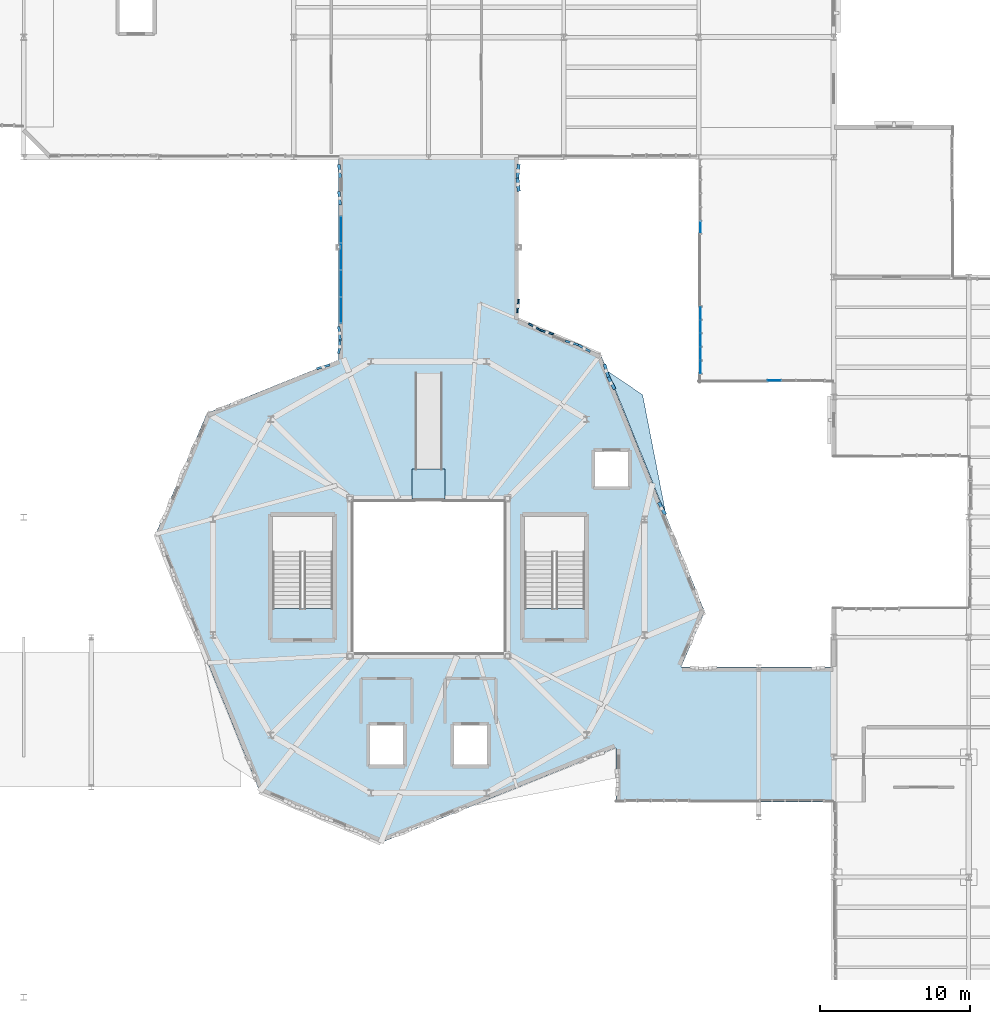
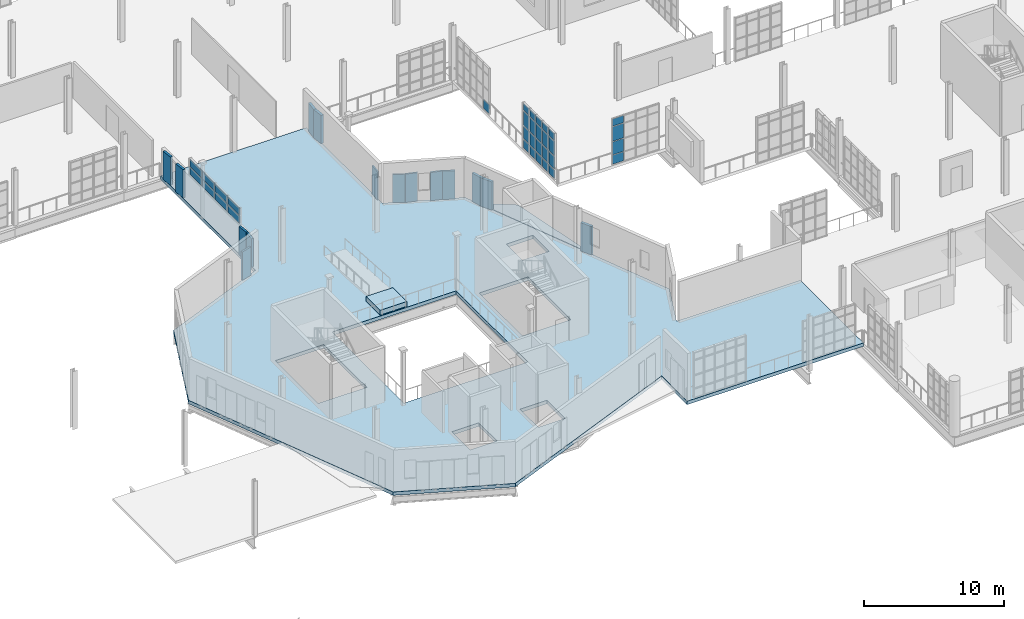
# One storey, part 84 of 122: 48 plates, 3 slabs, 4 elements without a shape of their own.
"""IFC4 building model written with IfcOpenShell, lengths in metres."""

from ifc_helpers import new_model, si_unit, direction, frame, frame_2d, origin, origin_2d, place, context, subcontext, project, spatial, polyline, rectangle, outline, extrude, material, layer, layer_set, type_object, element, aggregate, save


model = new_model("IFC4")

# Units and contexts
model_context = context("Model", 3, precision=1e-05, world=origin(), true_north=direction((0.0, 1.0)))
body_context = subcontext(model_context, "Body", "Model", "MODEL_VIEW")
ifc_project = project(units=[si_unit("LENGTHUNIT", "METRE"), si_unit("AREAUNIT", "SQUARE_METRE"), si_unit("VOLUMEUNIT", "CUBIC_METRE"), si_unit("PLANEANGLEUNIT", "RADIAN"), si_unit("MASSUNIT", "GRAM", prefix="KILO"), si_unit("THERMODYNAMICTEMPERATUREUNIT", "KELVIN"), si_unit("POWERUNIT", "WATT")], contexts=[model_context])

# Site, building, storey
site_placement = place(None, origin())
site = spatial("IfcSite", under=ifc_project, at=site_placement, CompositionType="ELEMENT")
building_placement = place(site_placement, origin())
building = spatial("IfcBuilding", under=site, at=building_placement, Name="Zelmaris Science Centre", CompositionType="ELEMENT")
storey_placement = place(building_placement, frame((0.0, 0.0, 10.800048828125)))
storey = spatial("IfcBuildingStorey", under=building, at=storey_placement, Name="L02", CompositionType="ELEMENT", Elevation=10.800048828125)

# Curtain wall, plates
ifc_material_1 = material(Name="Anodised architectural aluminium 6063-T6", Category="aluminium")
ifc_layer_1 = layer(ifc_material_1, 0.18994140625, Name="Anodised architectural aluminium 6063-T6")
ifc_layer_set_1 = layer_set([ifc_layer_1], Name="Anodised architectural aluminium 6063-T6")
curtain_wall_type_1 = type_object("IfcCurtainWallType", Name="Curtain Wall CW-01", PredefinedType="USERDEFINED", material=ifc_layer_set_1)
curtain_wall_1_placement = place(storey_placement, origin())
curtain_wall_1 = element("IfcCurtainWall", 1, at=curtain_wall_1_placement, inside=storey, type_object=curtain_wall_type_1, Name="L02 Clerestory curtain wall 253", ObjectType="GLAZED CURTAIN WALL", PredefinedType="USERDEFINED")
ifc_material_2 = material(Name="Laminated hurricane-rated low-E insulated glazing", Category="glass")
ifc_layer_2 = layer(ifc_material_2, 0.031982421875, Name="Laminated hurricane-rated low-E insulated glazing")
ifc_layer_set_2 = layer_set([ifc_layer_2], Name="Laminated hurricane-rated low-E insulated glazing")
plate_type_1 = type_object("IfcPlateType", Name="Curtain Glazing Panel CWP-1 32mm", PredefinedType="CURTAIN_PANEL", material=ifc_layer_set_2)
plate_1_placement = place(storey_placement, frame((75.154541015625, 53.81689453125, 2.49169921875), z_axis=(0.0, 0.0, 1.0), x_axis=(0.000534776397, 0.999999857007, 0.0)))
plate_1 = element("IfcPlate", 2, at=plate_1_placement, type_object=plate_type_1, Name="CW-01 panel 1.1", PredefinedType="CURTAIN_PANEL", context=body_context, shape_type="SweptSolid", body=[
    extrude(rectangle(XDim=1.69189453125, YDim=0.031982421875, at=origin_2d()), origin(), (0.0, 0.0, 1.0), 0.630615234375),
])
plate_2_placement = place(storey_placement, frame((75.154541015625, 53.81689453125, 3.1943359375), z_axis=(0.0, 0.0, 1.0), x_axis=(0.000534776397, 0.999999857007, 0.0)))
plate_2 = element("IfcPlate", 3, at=plate_2_placement, type_object=plate_type_1, Name="CW-01 panel 1.2", PredefinedType="CURTAIN_PANEL", context=body_context, shape_type="SweptSolid", body=[
    extrude(rectangle(XDim=1.69189453125, YDim=0.031982421875, at=origin_2d()), origin(), (0.0, 0.0, 1.0), 0.630615234375),
])
plate_3_placement = place(storey_placement, frame((75.155517578125, 55.598876953125, 2.49169921875), z_axis=(0.0, 0.0, 1.0), x_axis=(0.000534776397, 0.999999857007, 0.0)))
plate_3 = element("IfcPlate", 4, at=plate_3_placement, type_object=plate_type_1, Name="CW-01 panel 2.1", PredefinedType="CURTAIN_PANEL", context=body_context, shape_type="SweptSolid", body=[
    extrude(rectangle(XDim=1.72802734375, YDim=0.031982421875, at=origin_2d()), origin(), (0.0, 0.0, 1.0), 0.630615234375),
])
plate_4_placement = place(storey_placement, frame((75.155517578125, 55.598876953125, 3.1943359375), z_axis=(0.0, 0.0, 1.0), x_axis=(0.000534776397, 0.999999857007, 0.0)))
plate_4 = element("IfcPlate", 5, at=plate_4_placement, type_object=plate_type_1, Name="CW-01 panel 2.2", PredefinedType="CURTAIN_PANEL", context=body_context, shape_type="SweptSolid", body=[
    extrude(rectangle(XDim=1.72802734375, YDim=0.031982421875, at=origin_2d()), origin(), (0.0, 0.0, 1.0), 0.630615234375),
])
plate_5_placement = place(storey_placement, frame((75.156494140625, 57.39892578125, 2.49169921875), z_axis=(0.0, 0.0, 1.0), x_axis=(0.000534776397, 0.999999857007, 0.0)))
plate_5 = element("IfcPlate", 6, at=plate_5_placement, type_object=plate_type_1, Name="CW-01 panel 3.1", PredefinedType="CURTAIN_PANEL", context=body_context, shape_type="SweptSolid", body=[
    extrude(rectangle(XDim=1.72802734375, YDim=0.031982421875, at=origin_2d()), origin(), (0.0, 0.0, 1.0), 0.630615234375),
])
plate_6_placement = place(storey_placement, frame((75.156494140625, 57.39892578125, 3.1943359375), z_axis=(0.0, 0.0, 1.0), x_axis=(0.000534776397, 0.999999857007, 0.0)))
plate_6 = element("IfcPlate", 7, at=plate_6_placement, type_object=plate_type_1, Name="CW-01 panel 3.2", PredefinedType="CURTAIN_PANEL", context=body_context, shape_type="SweptSolid", body=[
    extrude(rectangle(XDim=1.72802734375, YDim=0.031982421875, at=origin_2d()), origin(), (0.0, 0.0, 1.0), 0.630615234375),
])
plate_7_placement = place(storey_placement, frame((75.157470703125, 59.180908203125, 2.49169921875), z_axis=(0.0, 0.0, 1.0), x_axis=(0.000534776397, 0.999999857007, 0.0)))
plate_7 = element("IfcPlate", 8, at=plate_7_placement, type_object=plate_type_1, Name="CW-01 panel 4.1", PredefinedType="CURTAIN_PANEL", context=body_context, shape_type="SweptSolid", body=[
    extrude(rectangle(XDim=1.69189453125, YDim=0.031982421875, at=origin_2d()), origin(), (0.0, 0.0, 1.0), 0.630615234375),
])
plate_8_placement = place(storey_placement, frame((75.157470703125, 59.180908203125, 3.1943359375), z_axis=(0.0, 0.0, 1.0), x_axis=(0.000534776397, 0.999999857007, 0.0)))
plate_8 = element("IfcPlate", 9, at=plate_8_placement, type_object=plate_type_1, Name="CW-01 panel 4.2", PredefinedType="CURTAIN_PANEL", context=body_context, shape_type="SweptSolid", body=[
    extrude(rectangle(XDim=1.69189453125, YDim=0.031982421875, at=origin_2d()), origin(), (0.0, 0.0, 1.0), 0.630615234375),
])
aggregate(curtain_wall_1, [plate_1, plate_2, plate_3, plate_4, plate_5, plate_6, plate_7, plate_8])

ifc_layer_3 = layer(ifc_material_1, 0.199951171875, Name="Anodised architectural aluminium 6063-T6")
ifc_layer_set_3 = layer_set([ifc_layer_3], Name="Anodised architectural aluminium 6063-T6")
curtain_wall_type_2 = type_object("IfcCurtainWallType", Name="Curtain Wall CW-02", PredefinedType="USERDEFINED", material=ifc_layer_set_3)
curtain_wall_2_placement = place(storey_placement, origin())
curtain_wall_2 = element("IfcCurtainWall", 10, at=curtain_wall_2_placement, inside=storey, type_object=curtain_wall_type_2, Name="L02 Unitised curtain wall 270", ObjectType="GLAZED CURTAIN WALL", PredefinedType="USERDEFINED")
ifc_layer_4 = layer(ifc_material_2, 0.028076171875, Name="Laminated hurricane-rated low-E insulated glazing")
ifc_layer_set_4 = layer_set([ifc_layer_4], Name="Laminated hurricane-rated low-E insulated glazing")
plate_type_2 = type_object("IfcPlateType", Name="Curtain Glazing Panel CWP-2 28mm", PredefinedType="CURTAIN_PANEL", material=ifc_layer_set_4)
plate_9_placement = place(storey_placement, frame((99.1201171875, 50.0107421875, 0.052001953125), z_axis=(0.0, 0.0, 1.0), x_axis=(-2.202691e-05, 0.999999999757, 0.0)))
plate_9 = element("IfcPlate", 11, at=plate_9_placement, type_object=plate_type_2, Name="CW-02 panel 1.1", PredefinedType="CURTAIN_PANEL", context=body_context, shape_type="SweptSolid", body=[
    extrude(rectangle(XDim=0.807373046875, YDim=0.028076171875, at=origin_2d()), origin(), (0.0, 0.0, 1.0), 0.74951171875),
])
plate_10_placement = place(storey_placement, frame((99.1201171875, 50.0107421875, 0.868408203125), z_axis=(0.0, 0.0, 1.0), x_axis=(-2.202691e-05, 0.999999999757, 0.0)))
plate_10 = element("IfcPlate", 12, at=plate_10_placement, type_object=plate_type_2, Name="CW-02 panel 1.2", PredefinedType="CURTAIN_PANEL", context=body_context, shape_type="SweptSolid", body=[
    extrude(rectangle(XDim=0.807373046875, YDim=0.028076171875, at=origin_2d()), origin(), (0.0, 0.0, 1.0), 1.1005859375),
])
plate_11_placement = place(storey_placement, frame((99.1201171875, 50.0107421875, 2.035888671875), z_axis=(0.0, 0.0, 1.0), x_axis=(-2.202691e-05, 0.999999999757, 0.0)))
plate_11 = element("IfcPlate", 13, at=plate_11_placement, type_object=plate_type_2, Name="CW-02 panel 1.3", PredefinedType="CURTAIN_PANEL", context=body_context, shape_type="SweptSolid", body=[
    extrude(rectangle(XDim=0.807373046875, YDim=0.028076171875, at=origin_2d()), origin(), (0.0, 0.0, 1.0), 1.25048828125),
])
plate_12_placement = place(storey_placement, frame((99.1201171875, 50.0107421875, 3.353515625), z_axis=(0.0, 0.0, 1.0), x_axis=(-2.202691e-05, 0.999999999757, 0.0)))
plate_12 = element("IfcPlate", 14, at=plate_12_placement, type_object=plate_type_2, Name="CW-02 panel 1.4", PredefinedType="CURTAIN_PANEL", context=body_context, shape_type="SweptSolid", body=[
    extrude(rectangle(XDim=0.807373046875, YDim=0.028076171875, at=origin_2d()), origin(), (0.0, 0.0, 1.0), 0.599609375),
])
plate_13_placement = place(storey_placement, frame((99.1201171875, 50.902099609375, 0.052001953125), z_axis=(0.0, 0.0, 1.0), x_axis=(-2.202691e-05, 0.999999999757, 0.0)))
plate_13 = element("IfcPlate", 15, at=plate_13_placement, type_object=plate_type_2, Name="CW-02 panel 2.1", PredefinedType="CURTAIN_PANEL", context=body_context, shape_type="SweptSolid", body=[
    extrude(rectangle(XDim=0.841064453125, YDim=0.028076171875, at=origin_2d()), origin(), (0.0, 0.0, 1.0), 0.74951171875),
])
plate_14_placement = place(storey_placement, frame((99.1201171875, 50.902099609375, 0.868408203125), z_axis=(0.0, 0.0, 1.0), x_axis=(-2.202691e-05, 0.999999999757, 0.0)))
plate_14 = element("IfcPlate", 16, at=plate_14_placement, type_object=plate_type_2, Name="CW-02 panel 2.2", PredefinedType="CURTAIN_PANEL", context=body_context, shape_type="SweptSolid", body=[
    extrude(rectangle(XDim=0.841064453125, YDim=0.028076171875, at=origin_2d()), origin(), (0.0, 0.0, 1.0), 1.1005859375),
])
plate_15_placement = place(storey_placement, frame((99.1201171875, 50.902099609375, 2.035888671875), z_axis=(0.0, 0.0, 1.0), x_axis=(-2.202691e-05, 0.999999999757, 0.0)))
plate_15 = element("IfcPlate", 17, at=plate_15_placement, type_object=plate_type_2, Name="CW-02 panel 2.3", PredefinedType="CURTAIN_PANEL", context=body_context, shape_type="SweptSolid", body=[
    extrude(rectangle(XDim=0.841064453125, YDim=0.028076171875, at=origin_2d()), origin(), (0.0, 0.0, 1.0), 1.25048828125),
])
plate_16_placement = place(storey_placement, frame((99.1201171875, 50.902099609375, 3.353515625), z_axis=(0.0, 0.0, 1.0), x_axis=(-2.202691e-05, 0.999999999757, 0.0)))
plate_16 = element("IfcPlate", 18, at=plate_16_placement, type_object=plate_type_2, Name="CW-02 panel 2.4", PredefinedType="CURTAIN_PANEL", context=body_context, shape_type="SweptSolid", body=[
    extrude(rectangle(XDim=0.841064453125, YDim=0.028076171875, at=origin_2d()), origin(), (0.0, 0.0, 1.0), 0.599609375),
])
plate_17_placement = place(storey_placement, frame((99.1201171875, 51.81005859375, 0.052001953125), z_axis=(0.0, 0.0, 1.0), x_axis=(-2.202691e-05, 0.999999999757, 0.0)))
plate_17 = element("IfcPlate", 19, at=plate_17_placement, type_object=plate_type_2, Name="CW-02 panel 3.1", PredefinedType="CURTAIN_PANEL", context=body_context, shape_type="SweptSolid", body=[
    extrude(rectangle(XDim=0.841064453125, YDim=0.028076171875, at=origin_2d()), origin(), (0.0, 0.0, 1.0), 0.74951171875),
])
plate_18_placement = place(storey_placement, frame((99.1201171875, 51.81005859375, 0.868408203125), z_axis=(0.0, 0.0, 1.0), x_axis=(-2.202691e-05, 0.999999999757, 0.0)))
plate_18 = element("IfcPlate", 20, at=plate_18_placement, type_object=plate_type_2, Name="CW-02 panel 3.2", PredefinedType="CURTAIN_PANEL", context=body_context, shape_type="SweptSolid", body=[
    extrude(rectangle(XDim=0.841064453125, YDim=0.028076171875, at=origin_2d()), origin(), (0.0, 0.0, 1.0), 1.1005859375),
])
plate_19_placement = place(storey_placement, frame((99.1201171875, 51.81005859375, 2.035888671875), z_axis=(0.0, 0.0, 1.0), x_axis=(-2.202691e-05, 0.999999999757, 0.0)))
plate_19 = element("IfcPlate", 21, at=plate_19_placement, type_object=plate_type_2, Name="CW-02 panel 3.3", PredefinedType="CURTAIN_PANEL", context=body_context, shape_type="SweptSolid", body=[
    extrude(rectangle(XDim=0.841064453125, YDim=0.028076171875, at=origin_2d()), origin(), (0.0, 0.0, 1.0), 1.25048828125),
])
plate_20_placement = place(storey_placement, frame((99.1201171875, 51.81005859375, 3.353515625), z_axis=(0.0, 0.0, 1.0), x_axis=(-2.202691e-05, 0.999999999757, 0.0)))
plate_20 = element("IfcPlate", 22, at=plate_20_placement, type_object=plate_type_2, Name="CW-02 panel 3.4", PredefinedType="CURTAIN_PANEL", context=body_context, shape_type="SweptSolid", body=[
    extrude(rectangle(XDim=0.841064453125, YDim=0.028076171875, at=origin_2d()), origin(), (0.0, 0.0, 1.0), 0.599609375),
])
plate_21_placement = place(storey_placement, frame((99.1201171875, 52.718017578125, 0.052001953125), z_axis=(0.0, 0.0, 1.0), x_axis=(-2.202691e-05, 0.999999999757, 0.0)))
plate_21 = element("IfcPlate", 23, at=plate_21_placement, type_object=plate_type_2, Name="CW-02 panel 4.1", PredefinedType="CURTAIN_PANEL", context=body_context, shape_type="SweptSolid", body=[
    extrude(rectangle(XDim=0.841064453125, YDim=0.028076171875, at=origin_2d()), origin(), (0.0, 0.0, 1.0), 0.74951171875),
])
plate_22_placement = place(storey_placement, frame((99.1201171875, 52.718017578125, 0.868408203125), z_axis=(0.0, 0.0, 1.0), x_axis=(-2.202691e-05, 0.999999999757, 0.0)))
plate_22 = element("IfcPlate", 24, at=plate_22_placement, type_object=plate_type_2, Name="CW-02 panel 4.2", PredefinedType="CURTAIN_PANEL", context=body_context, shape_type="SweptSolid", body=[
    extrude(rectangle(XDim=0.841064453125, YDim=0.028076171875, at=origin_2d()), origin(), (0.0, 0.0, 1.0), 1.1005859375),
])
plate_23_placement = place(storey_placement, frame((99.1201171875, 52.718017578125, 2.035888671875), z_axis=(0.0, 0.0, 1.0), x_axis=(-2.202691e-05, 0.999999999757, 0.0)))
plate_23 = element("IfcPlate", 25, at=plate_23_placement, type_object=plate_type_2, Name="CW-02 panel 4.3", PredefinedType="CURTAIN_PANEL", context=body_context, shape_type="SweptSolid", body=[
    extrude(rectangle(XDim=0.841064453125, YDim=0.028076171875, at=origin_2d()), origin(), (0.0, 0.0, 1.0), 1.25048828125),
])
plate_24_placement = place(storey_placement, frame((99.1201171875, 52.718017578125, 3.353515625), z_axis=(0.0, 0.0, 1.0), x_axis=(-2.202691e-05, 0.999999999757, 0.0)))
plate_24 = element("IfcPlate", 26, at=plate_24_placement, type_object=plate_type_2, Name="CW-02 panel 4.4", PredefinedType="CURTAIN_PANEL", context=body_context, shape_type="SweptSolid", body=[
    extrude(rectangle(XDim=0.841064453125, YDim=0.028076171875, at=origin_2d()), origin(), (0.0, 0.0, 1.0), 0.599609375),
])
plate_25_placement = place(storey_placement, frame((99.1201171875, 53.609375, 0.052001953125), z_axis=(0.0, 0.0, 1.0), x_axis=(-2.202691e-05, 0.999999999757, 0.0)))
plate_25 = element("IfcPlate", 27, at=plate_25_placement, type_object=plate_type_2, Name="CW-02 panel 5.1", PredefinedType="CURTAIN_PANEL", context=body_context, shape_type="SweptSolid", body=[
    extrude(rectangle(XDim=0.807373046875, YDim=0.028076171875, at=origin_2d()), origin(), (0.0, 0.0, 1.0), 0.74951171875),
])
plate_26_placement = place(storey_placement, frame((99.1201171875, 53.609375, 0.868408203125), z_axis=(0.0, 0.0, 1.0), x_axis=(-2.202691e-05, 0.999999999757, 0.0)))
plate_26 = element("IfcPlate", 28, at=plate_26_placement, type_object=plate_type_2, Name="CW-02 panel 5.2", PredefinedType="CURTAIN_PANEL", context=body_context, shape_type="SweptSolid", body=[
    extrude(rectangle(XDim=0.807373046875, YDim=0.028076171875, at=origin_2d()), origin(), (0.0, 0.0, 1.0), 1.1005859375),
])
plate_27_placement = place(storey_placement, frame((99.1201171875, 53.609375, 2.035888671875), z_axis=(0.0, 0.0, 1.0), x_axis=(-2.202691e-05, 0.999999999757, 0.0)))
plate_27 = element("IfcPlate", 29, at=plate_27_placement, type_object=plate_type_2, Name="CW-02 panel 5.3", PredefinedType="CURTAIN_PANEL", context=body_context, shape_type="SweptSolid", body=[
    extrude(rectangle(XDim=0.807373046875, YDim=0.028076171875, at=origin_2d()), origin(), (0.0, 0.0, 1.0), 1.25048828125),
])
plate_28_placement = place(storey_placement, frame((99.1201171875, 53.609375, 3.353515625), z_axis=(0.0, 0.0, 1.0), x_axis=(-2.202691e-05, 0.999999999757, 0.0)))
plate_28 = element("IfcPlate", 30, at=plate_28_placement, type_object=plate_type_2, Name="CW-02 panel 5.4", PredefinedType="CURTAIN_PANEL", context=body_context, shape_type="SweptSolid", body=[
    extrude(rectangle(XDim=0.807373046875, YDim=0.028076171875, at=origin_2d()), origin(), (0.0, 0.0, 1.0), 0.599609375),
])
aggregate(curtain_wall_2, [plate_9, plate_10, plate_11, plate_12, plate_13, plate_14, plate_15, plate_16, plate_17, plate_18, plate_19, plate_20, plate_21, plate_22, plate_23, plate_24, plate_25, plate_26, plate_27, plate_28])

ifc_layer_5 = layer(ifc_material_1, 0.219970703125, Name="Anodised architectural aluminium 6063-T6")
ifc_layer_set_5 = layer_set([ifc_layer_5], Name="Anodised architectural aluminium 6063-T6")
curtain_wall_type_3 = type_object("IfcCurtainWallType", Name="Curtain Wall CW-04", PredefinedType="USERDEFINED", material=ifc_layer_set_5)
curtain_wall_3_placement = place(storey_placement, origin())
curtain_wall_3 = element("IfcCurtainWall", 31, at=curtain_wall_3_placement, inside=storey, type_object=curtain_wall_type_3, Name="L02 Unitised curtain wall 268", ObjectType="GLAZED CURTAIN WALL", PredefinedType="USERDEFINED")
ifc_layer_6 = layer(ifc_material_2, 0.02392578125, Name="Laminated hurricane-rated low-E insulated glazing")
ifc_layer_set_6 = layer_set([ifc_layer_6], Name="Laminated hurricane-rated low-E insulated glazing")
plate_type_3 = type_object("IfcPlateType", Name="Curtain Glazing Panel CWP-4 24mm", PredefinedType="CURTAIN_PANEL", material=ifc_layer_set_6)
plate_29_placement = place(storey_placement, frame((104.03662109375, 49.11865234375, 0.036865234375), z_axis=(0.0, 0.0, 1.0), x_axis=(-0.999999959785, 0.00028360017, 0.0)))
plate_29 = element("IfcPlate", 32, at=plate_29_placement, type_object=plate_type_3, Name="CW-04 panel 4.1", PredefinedType="CURTAIN_PANEL", context=body_context, shape_type="SweptSolid", body=[
    extrude(rectangle(XDim=0.8916015625, YDim=0.02392578125, at=origin_2d()), origin(), (0.0, 0.0, 1.0), 0.77197265625),
])
plate_30_placement = place(storey_placement, frame((104.03662109375, 49.11865234375, 0.86083984375), z_axis=(0.0, 0.0, 1.0), x_axis=(-0.999999959785, 0.00028360017, 0.0)))
plate_30 = element("IfcPlate", 33, at=plate_30_placement, type_object=plate_type_3, Name="CW-04 panel 4.2", PredefinedType="CURTAIN_PANEL", context=body_context, shape_type="SweptSolid", body=[
    extrude(rectangle(XDim=0.8916015625, YDim=0.02392578125, at=origin_2d()), origin(), (0.0, 0.0, 1.0), 1.115478515625),
])
plate_31_placement = place(storey_placement, frame((104.03662109375, 49.11865234375, 2.0283203125), z_axis=(0.0, 0.0, 1.0), x_axis=(-0.999999959785, 0.00028360017, 0.0)))
plate_31 = element("IfcPlate", 34, at=plate_31_placement, type_object=plate_type_3, Name="CW-04 panel 4.3", PredefinedType="CURTAIN_PANEL", context=body_context, shape_type="SweptSolid", body=[
    extrude(rectangle(XDim=0.8916015625, YDim=0.02392578125, at=origin_2d()), origin(), (0.0, 0.0, 1.0), 1.265380859375),
])
plate_32_placement = place(storey_placement, frame((104.03662109375, 49.11865234375, 3.345947265625), z_axis=(0.0, 0.0, 1.0), x_axis=(-0.999999959785, 0.00028360017, 0.0)))
plate_32 = element("IfcPlate", 35, at=plate_32_placement, type_object=plate_type_3, Name="CW-04 panel 4.4", PredefinedType="CURTAIN_PANEL", context=body_context, shape_type="SweptSolid", body=[
    extrude(rectangle(XDim=0.8916015625, YDim=0.02392578125, at=origin_2d()), origin(), (0.0, 0.0, 1.0), 0.6220703125),
])
aggregate(curtain_wall_3, [plate_29, plate_30, plate_31, plate_32])

# Curtain wall, plate
curtain_wall_4_placement = place(storey_placement, origin())
curtain_wall_4 = element("IfcCurtainWall", 36, at=curtain_wall_4_placement, inside=storey, type_object=curtain_wall_type_3, Name="L02 Unitised curtain wall 272", ObjectType="GLAZED CURTAIN WALL", PredefinedType="USERDEFINED")
plate_33_placement = place(storey_placement, frame((99.1201171875, 59.326904296875, 0.036865234375), z_axis=(0.0, 0.0, 1.0), x_axis=(0.0, 1.0, 0.0)))
plate_33 = element("IfcPlate", 37, at=plate_33_placement, type_object=plate_type_3, Name="CW-04 panel 1.1", PredefinedType="CURTAIN_PANEL", context=body_context, shape_type="SweptSolid", body=[
    extrude(rectangle(XDim=0.830078125, YDim=0.02392578125, at=origin_2d()), origin(), (0.0, 0.0, 1.0), 0.77197265625),
])
aggregate(curtain_wall_4, [plate_33])

# Plates
ifc_material_3 = material(Name="Precast concrete C40/50", Category="concrete")
ifc_layer_7 = layer(ifc_material_3, 0.110107421875, Name="Precast concrete C40/50")
ifc_layer_set_7 = layer_set([ifc_layer_7], Name="Precast concrete C40/50")
plate_type_4 = type_object("IfcPlateType", Name="Precast Facet Panel FP-01 110mm", PredefinedType="SHEET", material=ifc_layer_set_7)
plate_34_placement = place(storey_placement, frame((86.996337890625, 54.529541015625, 0.02001953125), z_axis=(0.0, 0.0, 1.0), x_axis=(-0.101480980007, -0.99483747954, 0.0)))
element("IfcPlate", 38, at=plate_34_placement, inside=storey, type_object=plate_type_4, Name="L02 Folded precast facet panel 108", PredefinedType="SHEET", context=body_context, shape_type="SweptSolid", body=[
    extrude(rectangle(XDim=0.904541015625, YDim=0.110107421875, at=frame_2d((0.4521484375, 0.0))), origin(), (0.0, 0.0, 1.0), 2.4599609375),
])
ifc_layer_8 = layer(ifc_material_3, 0.1201171875, Name="Precast concrete C40/50")
ifc_layer_set_8 = layer_set([ifc_layer_8], Name="Precast concrete C40/50")
plate_type_5 = type_object("IfcPlateType", Name="Precast Facet Panel FP-02 120mm", PredefinedType="SHEET", material=ifc_layer_set_8)
plate_35_placement = place(storey_placement, frame((87.66162109375, 52.900634765625, 0.02001953125), z_axis=(0.0, 0.0, 1.0), x_axis=(0.874793116073, -0.484496650216, 0.0)))
element("IfcPlate", 39, at=plate_35_placement, inside=storey, type_object=plate_type_5, Name="L02 Folded precast facet panel 109", PredefinedType="SHEET", context=body_context, shape_type="SweptSolid", body=[
    extrude(rectangle(XDim=0.904541015625, YDim=0.1201171875, at=frame_2d((0.4521484375, 0.0))), origin(), (0.0, 0.0, 1.0), 2.4599609375),
])
ifc_layer_9 = layer(ifc_material_3, 0.1298828125, Name="Precast concrete C40/50")
ifc_layer_set_9 = layer_set([ifc_layer_9], Name="Precast concrete C40/50")
plate_type_6 = type_object("IfcPlateType", Name="Precast Facet Panel FP-03 130mm", PredefinedType="SHEET", material=ifc_layer_set_9)
plate_36_placement = place(storey_placement, frame((88.452880859375, 52.46240234375, 0.02001953125), z_axis=(0.0, 0.0, 1.0), x_axis=(0.954427147243, -0.29844399911, 0.0)))
element("IfcPlate", 40, at=plate_36_placement, inside=storey, type_object=plate_type_6, Name="L02 Folded precast facet panel 110", PredefinedType="SHEET", context=body_context, shape_type="SweptSolid", body=[
    extrude(rectangle(XDim=0.90478515625, YDim=0.1298828125, at=frame_2d((0.452392578125, 0.0))), origin(), (0.0, 0.0, 1.0), 2.4599609375),
])
ifc_layer_10 = layer(ifc_material_3, 0.139892578125, Name="Precast concrete C40/50")
ifc_layer_set_10 = layer_set([ifc_layer_10], Name="Precast concrete C40/50")
plate_type_7 = type_object("IfcPlateType", Name="Precast Facet Panel FP-04 140mm", PredefinedType="SHEET", material=ifc_layer_set_10)
plate_37_placement = place(storey_placement, frame((90.10791015625, 51.754150390625, 0.02001953125), z_axis=(0.0, 0.0, 1.0), x_axis=(0.954479978035, -0.298274993136, 0.0)))
element("IfcPlate", 41, at=plate_37_placement, inside=storey, type_object=plate_type_7, Name="L02 Folded precast facet panel 111", PredefinedType="SHEET", context=body_context, shape_type="SweptSolid", body=[
    extrude(rectangle(XDim=0.904541015625, YDim=0.139892578125, at=frame_2d((0.4521484375, 0.0))), origin(), (0.0, 0.0, 1.0), 2.4599609375),
])
ifc_layer_11 = layer(ifc_material_3, 0.14990234375, Name="Precast concrete C40/50")
ifc_layer_set_11 = layer_set([ifc_layer_11], Name="Precast concrete C40/50")
plate_type_8 = type_object("IfcPlateType", Name="Precast Facet Panel FP-05 150mm", PredefinedType="SHEET", material=ifc_layer_set_11)
plate_38_placement = place(storey_placement, frame((73.52783203125, 49.8955078125, 0.02001953125), z_axis=(0.0, 0.0, 1.0), x_axis=(0.959960696119, 0.280134720993, 0.0)))
element("IfcPlate", 42, at=plate_38_placement, inside=storey, type_object=plate_type_8, Name="L02 Folded precast facet panel 88", PredefinedType="SHEET", context=body_context, shape_type="SweptSolid", body=[
    extrude(rectangle(XDim=0.904541015625, YDim=0.14990234375, at=frame_2d((0.4521484375, 0.0))), origin(), (0.0, 0.0, 1.0), 2.4599609375),
])
plate_39_placement = place(storey_placement, frame((90.97119140625, 51.484375, 0.02001953125), z_axis=(0.0, 0.0, 1.0), x_axis=(0.874742089818, -0.4845887703, 0.0)))
element("IfcPlate", 43, at=plate_39_placement, inside=storey, type_object=plate_type_8, Name="L02 Folded precast facet panel 112", PredefinedType="SHEET", context=body_context, shape_type="SweptSolid", body=[
    extrude(rectangle(XDim=0.90478515625, YDim=0.14990234375, at=frame_2d((0.452392578125, 0.0))), origin(), (0.0, 0.0, 1.0), 2.4599609375),
])
ifc_layer_12 = layer(ifc_material_3, 0.159912109375, Name="Precast concrete C40/50")
ifc_layer_set_12 = layer_set([ifc_layer_12], Name="Precast concrete C40/50")
plate_type_9 = type_object("IfcPlateType", Name="Precast Facet Panel FP-06 160mm", PredefinedType="SHEET", material=ifc_layer_set_12)
plate_40_placement = place(storey_placement, frame((75.00146484375, 50.91943359375, 0.02001953125), z_axis=(0.0, 0.0, 1.0), x_axis=(0.101748085751, 0.994810196493, 0.0)))
element("IfcPlate", 44, at=plate_40_placement, inside=storey, type_object=plate_type_9, Name="L02 Folded precast facet panel 89", PredefinedType="SHEET", context=body_context, shape_type="SweptSolid", body=[
    extrude(rectangle(XDim=0.904541015625, YDim=0.159912109375, at=frame_2d((0.4521484375, 0.0))), origin(), (0.0, 0.0, 1.0), 2.4599609375),
])
ifc_layer_13 = layer(ifc_material_3, 0.169921875, Name="Precast concrete C40/50")
ifc_layer_set_13 = layer_set([ifc_layer_13], Name="Precast concrete C40/50")
plate_type_10 = type_object("IfcPlateType", Name="Precast Facet Panel FP-07 170mm", PredefinedType="SHEET", material=ifc_layer_set_13)
plate_41_placement = place(storey_placement, frame((75.093505859375, 51.8193359375, 0.02001953125), z_axis=(0.0, 0.0, 1.0), x_axis=(-0.10065250136, 0.994921642126, 0.0)))
element("IfcPlate", 45, at=plate_41_placement, inside=storey, type_object=plate_type_10, Name="L02 Folded precast facet panel 90", PredefinedType="SHEET", context=body_context, shape_type="SweptSolid", body=[
    extrude(rectangle(XDim=0.90478515625, YDim=0.169921875, at=frame_2d((0.452392578125, 0.0))), origin(), (0.0, 0.0, 1.0), 2.4599609375),
])
ifc_layer_14 = layer(ifc_material_3, 0.179931640625, Name="Precast concrete C40/50")
ifc_layer_set_14 = layer_set([ifc_layer_14], Name="Precast concrete C40/50")
plate_type_11 = type_object("IfcPlateType", Name="Precast Facet Panel FP-08 180mm", PredefinedType="SHEET", material=ifc_layer_set_14)
plate_42_placement = place(storey_placement, frame((75.098388671875, 60.8193359375, 0.02001953125), z_axis=(0.0, 0.0, 1.0), x_axis=(-0.100919602528, 0.994894584278, 0.0)))
element("IfcPlate", 46, at=plate_42_placement, inside=storey, type_object=plate_type_11, Name="L02 Folded precast facet panel 91", PredefinedType="SHEET", context=body_context, shape_type="SweptSolid", body=[
    extrude(rectangle(XDim=0.90478515625, YDim=0.179931640625, at=frame_2d((0.452392578125, 0.0))), origin(), (0.0, 0.0, 1.0), 2.4599609375),
])
ifc_layer_15 = layer(ifc_material_3, 0.18994140625, Name="Precast concrete C40/50")
ifc_layer_set_15 = layer_set([ifc_layer_15], Name="Precast concrete C40/50")
plate_type_12 = type_object("IfcPlateType", Name="Precast Facet Panel FP-09 190mm", PredefinedType="SHEET", material=ifc_layer_set_15)
plate_43_placement = place(storey_placement, frame((75.099365234375, 62.619384765625, 0.02001953125), z_axis=(0.0, 0.0, 1.0), x_axis=(-0.10065250136, 0.994921642126, 0.0)))
element("IfcPlate", 47, at=plate_43_placement, inside=storey, type_object=plate_type_12, Name="L02 Folded precast facet panel 92", PredefinedType="SHEET", context=body_context, shape_type="SweptSolid", body=[
    extrude(rectangle(XDim=0.90478515625, YDim=0.18994140625, at=frame_2d((0.452392578125, 0.0))), origin(), (0.0, 0.0, 1.0), 2.4599609375),
])
ifc_layer_16 = layer(ifc_material_3, 0.199951171875, Name="Precast concrete C40/50")
ifc_layer_set_16 = layer_set([ifc_layer_16], Name="Precast concrete C40/50")
plate_type_13 = type_object("IfcPlateType", Name="Precast Facet Panel FP-10 200mm", PredefinedType="SHEET", material=ifc_layer_set_16)
plate_44_placement = place(storey_placement, frame((92.716796875, 50.203125, 0.02001953125), z_axis=(0.0, 0.0, 1.0), x_axis=(0.278818224841, -0.960343895434, 0.0)))
element("IfcPlate", 48, at=plate_44_placement, inside=storey, type_object=plate_type_13, Name="L02 Folded precast facet panel 93", PredefinedType="SHEET", context=body_context, shape_type="SweptSolid", body=[
    extrude(rectangle(XDim=0.904541015625, YDim=0.199951171875, at=frame_2d((0.4521484375, 0.0))), origin(), (0.0, 0.0, 1.0), 2.4599609375),
])
ifc_layer_17 = layer(ifc_material_3, 0.2099609375, Name="Precast concrete C40/50")
ifc_layer_set_17 = layer_set([ifc_layer_17], Name="Precast concrete C40/50")
plate_type_14 = type_object("IfcPlateType", Name="Precast Facet Panel FP-11 210mm", PredefinedType="SHEET", material=ifc_layer_set_17)
plate_45_placement = place(storey_placement, frame((92.968994140625, 49.33447265625, 0.02001953125), z_axis=(0.0, 0.0, 1.0), x_axis=(0.466535836341, -0.884502297007, 0.0)))
element("IfcPlate", 49, at=plate_45_placement, inside=storey, type_object=plate_type_14, Name="L02 Folded precast facet panel 94", PredefinedType="SHEET", context=body_context, shape_type="SweptSolid", body=[
    extrude(rectangle(XDim=0.90478515625, YDim=0.2099609375, at=frame_2d((0.452392578125, 0.0))), origin(), (0.0, 0.0, 1.0), 2.4599609375),
])
plate_46_placement = place(storey_placement, frame((86.99853515625, 63.529541015625, 0.02001953125), z_axis=(0.0, 0.0, 1.0), x_axis=(-0.101480980007, -0.99483747954, 0.0)))
element("IfcPlate", 50, at=plate_46_placement, inside=storey, type_object=plate_type_14, Name="L02 Folded precast facet panel 106", PredefinedType="SHEET", context=body_context, shape_type="SweptSolid", body=[
    extrude(rectangle(XDim=0.904541015625, YDim=0.2099609375, at=frame_2d((0.4521484375, 0.0))), origin(), (0.0, 0.0, 1.0), 2.4599609375),
])
ifc_layer_18 = layer(ifc_material_3, 0.219970703125, Name="Precast concrete C40/50")
ifc_layer_set_18 = layer_set([ifc_layer_18], Name="Precast concrete C40/50")
plate_type_15 = type_object("IfcPlateType", Name="Precast Facet Panel FP-12 220mm", PredefinedType="SHEET", material=ifc_layer_set_18)
plate_47_placement = place(storey_placement, frame((96.340576171875, 40.98974609375, 0.02001953125), z_axis=(0.0, 0.0, 1.0), x_axis=(0.466647205061, -0.884443545971, 0.0)))
element("IfcPlate", 51, at=plate_47_placement, inside=storey, type_object=plate_type_15, Name="L02 Folded precast facet panel 95", PredefinedType="SHEET", context=body_context, shape_type="SweptSolid", body=[
    extrude(rectangle(XDim=0.904541015625, YDim=0.219970703125, at=frame_2d((0.4521484375, 0.0))), origin(), (0.0, 0.0, 1.0), 2.4599609375),
])
plate_48_placement = place(storey_placement, frame((86.90673828125, 62.629638671875, 0.02001953125), z_axis=(0.0, 0.0, 1.0), x_axis=(0.101186681876, -0.994867456203, 0.0)))
element("IfcPlate", 52, at=plate_48_placement, inside=storey, type_object=plate_type_15, Name="L02 Folded precast facet panel 107", PredefinedType="SHEET", context=body_context, shape_type="SweptSolid", body=[
    extrude(rectangle(XDim=0.90478515625, YDim=0.219970703125, at=frame_2d((0.452392578125, 0.0))), origin(), (0.0, 0.0, 1.0), 2.4599609375),
])

# Slabs
ifc_material_4 = material(Name="Concrete C35/45", Category="concrete")
ifc_layer_19 = layer(ifc_material_4, 0.300048828125, Name="Concrete C35/45")
ifc_layer_set_19 = layer_set([ifc_layer_19], Name="Concrete C35/45")
slab_type_1 = type_object("IfcSlabType", Name="Slab SL-FL300 300mm", PredefinedType="FLOOR", material=ifc_layer_set_19)
slab_1_placement = place(storey_placement, frame((0.0, 0.0, -0.300048828125)))
element("IfcSlab", 53, at=slab_1_placement, inside=storey, type_object=slab_type_1, Name="L02 Rotated exhibition hall slab", PredefinedType="FLOOR", context=body_context, shape_type="SweptSolid", body=[
    extrude(outline(polyline([(62.79248046875, 38.867919921875), (66.218505859375, 46.939208984375), (75.0, 50.487060546875), (75.0, 64.00390625), (87.0, 64.00390625), (87.0, 53.174072265625), (92.46240234375, 50.85546875), (99.392578125, 33.702392578125), (97.821044921875, 30.0), (108.00390625, 30.0), (108.00390625, 21.0), (93.5, 21.0), (93.5, 24.634765625), (77.7939453125, 18.289306640625), (69.722900390625, 21.715087890625), (62.79248046875, 38.867919921875)]), holes=[polyline([(75.89990234375, 30.89990234375), (86.10009765625, 30.89990234375), (86.10009765625, 41.10009765625), (75.89990234375, 41.10009765625), (75.89990234375, 30.89990234375)]), polyline([(74.60009765625, 33.919921875), (74.60009765625, 40.050048828125), (70.60009765625, 40.050048828125), (70.60009765625, 33.919921875), (74.60009765625, 33.919921875)]), polyline([(91.39990234375, 33.919921875), (91.39990234375, 40.050048828125), (87.39990234375, 40.050048828125), (87.39990234375, 33.919921875), (91.39990234375, 33.919921875)]), polyline([(77.10009765625, 23.5), (79.300048828125, 23.5), (79.300048828125, 26.10009765625), (77.10009765625, 26.10009765625), (77.10009765625, 23.5)]), polyline([(82.699951171875, 23.5), (84.89990234375, 23.5), (84.89990234375, 26.10009765625), (82.699951171875, 26.10009765625), (82.699951171875, 23.5)]), polyline([(92.10009765625, 42.050048828125), (94.300048828125, 42.050048828125), (94.300048828125, 44.35009765625), (92.10009765625, 44.35009765625), (92.10009765625, 42.050048828125)])]), origin(), (0.0, 0.0, 1.0), 0.300048828125),
])
ifc_layer_20 = layer(ifc_material_4, 0.419921875, Name="Concrete C35/45")
ifc_layer_set_20 = layer_set([ifc_layer_20], Name="Concrete C35/45")
slab_type_2 = type_object("IfcSlabType", Name="Slab SL-LD420 420mm", PredefinedType="LANDING", material=ifc_layer_set_20)
slab_2_placement = place(storey_placement, origin())
element("IfcSlab", 54, at=slab_2_placement, inside=storey, type_object=slab_type_2, Name="L02 Atrium overlook ramp arrival landing", PredefinedType="LANDING", context=body_context, shape_type="SweptSolid", body=[
    extrude(outline(polyline([(79.89990234375, 41.199951171875), (82.10009765625, 41.199951171875), (82.10009765625, 43.199951171875), (79.89990234375, 43.199951171875), (79.89990234375, 41.199951171875)])), origin(), (0.0, 0.0, 1.0), 0.419921875),
])
ifc_layer_21 = layer(ifc_material_4, 0.219970703125, Name="Concrete C35/45")
ifc_layer_set_21 = layer_set([ifc_layer_21], Name="Concrete C35/45")
slab_type_3 = type_object("IfcSlabType", Name="Slab SL-RF220 220mm", PredefinedType="ROOF", material=ifc_layer_set_21)
slab_3_placement = place(storey_placement, frame((0.0, 0.0, -0.219970703125)))
element("IfcSlab", 55, at=slab_3_placement, inside=storey, type_object=slab_type_3, Name="L02 Exhibition setback cornice roof 2", PredefinedType="ROOF", context=body_context, shape_type="SweptSolid", body=[
    extrude(outline(polyline([(96.826416015625, 40.107421875), (92.939453125, 49.72802734375), (95.2607421875, 48.162353515625), (96.826416015625, 40.107421875)])), origin(), (0.0, 0.0, 1.0), 0.219970703125),
])

save(model, "model.ifc")
